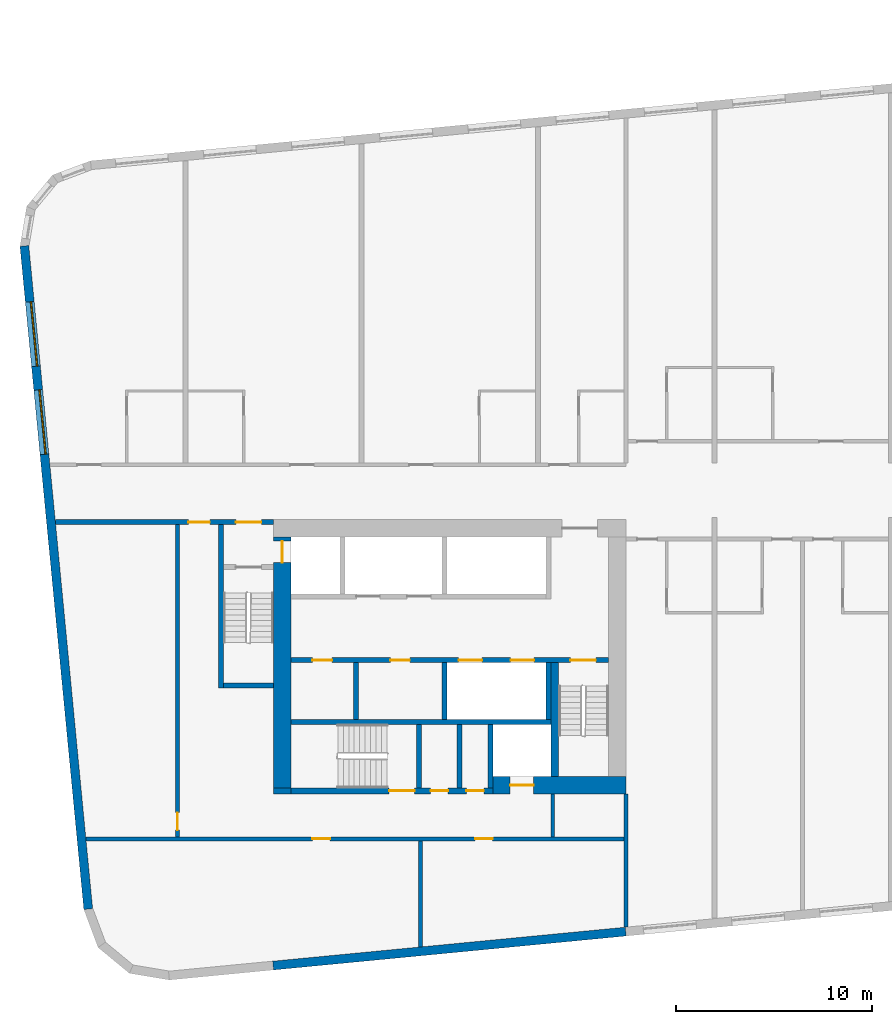
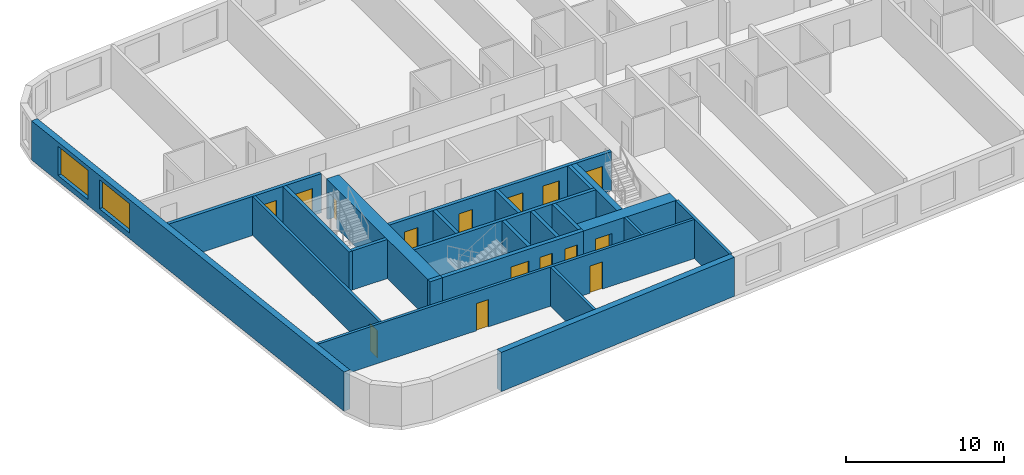
# One storey, part 2 of 12: 23 walls, 15 doors, 2 windows, 17 openings.
"""IFC4 building model written with IfcOpenShell, lengths in metres."""

from ifc_helpers import new_model, si_unit, direction, frame, frame_2d, origin, place, context, subcontext, project, spatial, rectangle, extrude, material, layer, layer_set, type_object, element, fill, save


model = new_model("IFC4")

# Units and contexts
model_context = context("Model", 3, precision=1e-05, world=origin(), true_north=direction((0.0, 1.0)))
body_context = subcontext(model_context, "Body", "Model", "MODEL_VIEW")
ifc_project = project(units=[si_unit("LENGTHUNIT", "METRE"), si_unit("AREAUNIT", "SQUARE_METRE"), si_unit("VOLUMEUNIT", "CUBIC_METRE"), si_unit("PLANEANGLEUNIT", "RADIAN"), si_unit("MASSUNIT", "GRAM", prefix="KILO")], contexts=[model_context])

# Site, building, storey
site_placement = place(None, origin())
site = spatial("IfcSite", under=ifc_project, at=site_placement, CompositionType="ELEMENT")
building_placement = place(site_placement, origin())
building = spatial("IfcBuilding", under=site, at=building_placement, Name="Kajstack Hotel Tower", CompositionType="ELEMENT")
storey_placement = place(building_placement, frame((0.0, 0.0, 190.0)))
storey = spatial("IfcBuildingStorey", under=building, at=storey_placement, Name="L45", CompositionType="ELEMENT", Elevation=190.0)

# Wall, opening, door
ifc_material_1 = material(Name="Concrete C60/75", Category="concrete")
ifc_layer_1 = layer(ifc_material_1, 0.89990234375)
ifc_layer_set_1 = layer_set([ifc_layer_1], Name="Core wall 900")
wall_type_1 = type_object("IfcWallType", Name="Core wall 900", PredefinedType="SHEAR", material=ifc_layer_set_1)
wall_1_placement = place(storey_placement, frame((-20.300048828125, -15.050048828125, 0.0), z_axis=(0.0, 0.0, 1.0), x_axis=(1.0, 0.0, 0.0)))
wall_1 = element("IfcWall", 1, at=wall_1_placement, inside=storey, type_object=wall_type_1, Name="Core wall W RS", PredefinedType="SHEAR", context=body_context, shape_type="SweptSolid", body=[
    extrude(rectangle(XDim=6.800048828125, YDim=0.89990234375, at=frame_2d((3.39990234375, 0.0))), origin(), (0.0, 0.0, 1.0), 3.02001953125),
])
opening_1_placement = place(wall_1_placement, frame((0.875, 0.0, 0.0)))
opening_1 = element("IfcOpeningElement", 2, at=opening_1_placement, cuts=wall_1, Name="Opening LD-SV1", PredefinedType="OPENING", context=body_context, shape_type="SweptSolid", body=[
    extrude(rectangle(XDim=1.199951171875, YDim=2.10009765625, at=frame_2d((0.60009765625, 1.050048828125))), frame((0.0, 0.4599609375, 0.0), z_axis=(0.0, -1.0, 0.0), x_axis=(1.0, 0.0, 0.0)), (0.0, 0.0, 1.0), 0.919921875),
])
ifc_material_2 = material(Name="Stainless steel", Category="steel")
door_type_1 = type_object("IfcDoorType", Name="Lift landing door 1200", OperationType="SLIDING_TO_LEFT", PredefinedType="DOOR", material=ifc_material_2)
door_1_placement = place(opening_1_placement, origin())
door_1 = element("IfcDoor", 3, at=door_1_placement, inside=storey, type_object=door_type_1, Name="Landing door SV1", OperationType="SLIDING_TO_LEFT", OverallHeight=2.10009765625, OverallWidth=1.199951171875, PredefinedType="DOOR", context=body_context, shape_type="SweptSolid", body=[
    extrude(rectangle(XDim=1.199951171875, YDim=2.10009765625, at=frame_2d((0.60009765625, 1.050048828125))), frame((0.0, 0.02490234375, 0.0), z_axis=(0.0, -1.0, 0.0), x_axis=(1.0, 0.0, 0.0)), (0.0, 0.0, 1.0), 0.050048828125),
])
fill(opening_1, door_1)

# Wall
wall_2_placement = place(storey_placement, frame((-31.5, -15.35009765625, 0.0), z_axis=(0.0, 0.0, 1.0), x_axis=(1.0, 0.0, 0.0)))
element("IfcWall", 4, at=wall_2_placement, inside=storey, type_object=wall_type_1, Name="Core wall W RSW", PredefinedType="SHEAR", context=body_context, shape_type="SweptSolid", body=[
    extrude(rectangle(XDim=0.89990234375, YDim=0.300048828125, at=frame_2d((0.449951171875, 0.0))), origin(), (0.0, 0.0, 1.0), 3.02001953125),
])

# Wall, opening, door
wall_3_placement = place(storey_placement, frame((-31.050048828125, -15.199951171875, 0.0), z_axis=(0.0, 0.0, 1.0), x_axis=(0.0, 1.0, 0.0)))
wall_3 = element("IfcWall", 5, at=wall_3_placement, inside=storey, type_object=wall_type_1, Name="Core wall W RW", PredefinedType="SHEAR", context=body_context, shape_type="SweptSolid", body=[
    extrude(rectangle(XDim=12.800048828125, YDim=0.89990234375, at=frame_2d((6.39990234375, 0.0))), origin(), (0.0, 0.0, 1.0), 3.02001953125),
])
opening_2_placement = place(wall_3_placement, frame((11.5, 0.0, 0.0)))
opening_2 = element("IfcOpeningElement", 6, at=opening_2_placement, cuts=wall_3, Name="Opening LD-FF1", PredefinedType="OPENING", context=body_context, shape_type="SweptSolid", body=[
    extrude(rectangle(XDim=1.10009765625, YDim=2.10009765625, at=frame_2d((0.550048828125, 1.050048828125))), frame((0.0, 0.4599609375, 0.0), z_axis=(0.0, -1.0, 0.0), x_axis=(1.0, 0.0, 0.0)), (0.0, 0.0, 1.0), 0.919921875),
])
door_type_2 = type_object("IfcDoorType", Name="Fire-fighting lift landing door 1100", OperationType="SLIDING_TO_LEFT", PredefinedType="DOOR", material=ifc_material_2)
door_2_placement = place(opening_2_placement, origin())
door_2 = element("IfcDoor", 7, at=door_2_placement, inside=storey, type_object=door_type_2, Name="Landing door FF1", OperationType="SLIDING_TO_RIGHT", OverallHeight=2.10009765625, OverallWidth=1.10009765625, PredefinedType="DOOR", context=body_context, shape_type="SweptSolid", body=[
    extrude(rectangle(XDim=1.10009765625, YDim=2.10009765625, at=frame_2d((0.550048828125, 1.050048828125))), frame((0.0, 0.02490234375, 0.0), z_axis=(0.0, -1.0, 0.0), x_axis=(1.0, 0.0, 0.0)), (0.0, 0.0, 1.0), 0.050048828125),
])
fill(opening_2, door_2)

# Walls
ifc_material_3 = material(Name="Twin-frame gypsum board on steel studs, mineral wool", Category="steel")
ifc_layer_2 = layer(ifc_material_3, 0.199951171875)
ifc_layer_set_2 = layer_set([ifc_layer_2], Name="Demising wall 200")
wall_type_2 = type_object("IfcWallType", Name="Demising wall 200", PredefinedType="PARTITIONING", material=ifc_layer_set_2)
wall_4_placement = place(storey_placement, frame((-13.5, -22.300048828125, 0.0), z_axis=(0.0, 0.0, 1.0), x_axis=(0.0, 1.0, 0.0)))
element("IfcWall", 8, at=wall_4_placement, inside=storey, type_object=wall_type_2, Name="G-wall-L45-002", PredefinedType="PARTITIONING", context=body_context, shape_type="SweptSolid", body=[
    extrude(rectangle(XDim=6.800048828125, YDim=0.199951171875, at=frame_2d((3.39990234375, 0.0))), origin(), (0.0, 0.0, 1.0), 3.02001953125),
])
ifc_material_4 = material(Name="Concrete C40/50", Category="concrete")
ifc_layer_3 = layer(ifc_material_4, 0.449951171875)
ifc_layer_set_3 = layer_set([ifc_layer_3], Name="EW-CORE")
wall_type_3 = type_object("IfcWallType", Name="EW-CORE", PredefinedType="SOLIDWALL", material=ifc_layer_set_3)
wall_5_placement = place(storey_placement, frame((-31.521484375, -24.26171875, 0.0), z_axis=(0.0, 0.0, 1.0), x_axis=(0.995396454615, 0.095843091245, 0.0)))
element("IfcWall", 9, at=wall_5_placement, inside=storey, type_object=wall_type_3, Name="E-wall-L45-04-01", PredefinedType="SOLIDWALL", context=body_context, shape_type="SweptSolid", body=[
    extrude(rectangle(XDim=18.083251953125, YDim=0.449951171875, at=frame_2d((9.04150390625, 0.0))), origin(), (0.0, 0.0, 1.0), 3.02001953125),
])

# Wall, openings, windows
ifc_material_5 = material(Name="Terracotta-faced brick masonry", Category="masonry")
ifc_layer_4 = layer(ifc_material_5, 0.449951171875)
ifc_layer_set_4 = layer_set([ifc_layer_4], Name="EW-TERRA")
wall_type_4 = type_object("IfcWallType", Name="EW-TERRA", PredefinedType="SOLIDWALL", material=ifc_layer_set_4)
wall_6_placement = place(storey_placement, frame((-44.21435546875, 12.465576171875, 0.0), z_axis=(0.0, 0.0, 1.0), x_axis=(0.095847314626, -0.995396047952, 0.0)))
wall_6 = element("IfcWall", 10, at=wall_6_placement, inside=storey, type_object=wall_type_4, Name="E-wall-L45-00-00", PredefinedType="SOLIDWALL", context=body_context, shape_type="SweptSolid", body=[
    extrude(rectangle(XDim=33.999755859375, YDim=0.449951171875, at=frame_2d((17.0, 0.0))), origin(), (0.0, 0.0, 1.0), 3.02001953125),
])
opening_3_placement = place(wall_6_placement, frame((2.864990234375, 0.0, 0.449951171875)))
opening_3 = element("IfcOpeningElement", 11, at=opening_3_placement, cuts=wall_6, Name="Opening W2", PredefinedType="OPENING", context=body_context, shape_type="SweptSolid", body=[
    extrude(rectangle(XDim=3.300048828125, YDim=2.25, at=frame_2d((1.64990234375, 1.125))), frame((0.0, 0.23486328125, 0.0), z_axis=(0.0, -1.0, 0.0), x_axis=(1.0, 0.0, 0.0)), (0.0, 0.0, 1.0), 0.469970703125),
])
opening_4_placement = place(wall_6_placement, frame((7.3857421875, 0.0, 0.449951171875)))
opening_4 = element("IfcOpeningElement", 12, at=opening_4_placement, cuts=wall_6, Name="Opening W2", PredefinedType="OPENING", context=body_context, shape_type="SweptSolid", body=[
    extrude(rectangle(XDim=3.300048828125, YDim=2.25, at=frame_2d((1.64990234375, 1.125))), frame((0.0, 0.23486328125, 0.0), z_axis=(0.0, -1.0, 0.0), x_axis=(1.0, 0.0, 0.0)), (0.0, 0.0, 1.0), 0.469970703125),
])
ifc_material_6 = material(Name="Timber-aluminium window, triple glazed", Category="wood")
window_type = type_object("IfcWindowType", Name="WG2", PartitioningType="SINGLE_PANEL", PredefinedType="WINDOW", material=ifc_material_6)
window_1_placement = place(opening_3_placement, origin())
window_1 = element("IfcWindow", 13, at=window_1_placement, inside=storey, type_object=window_type, Name="Window W2 L45-00", OverallHeight=2.25, OverallWidth=3.300048828125, PartitioningType="SINGLE_PANEL", PredefinedType="WINDOW", context=body_context, shape_type="SweptSolid", body=[
    extrude(rectangle(XDim=3.300048828125, YDim=2.25, at=frame_2d((1.64990234375, 1.125))), frame((0.0, 0.090087890625, 0.0), z_axis=(0.0, -1.0, 0.0), x_axis=(1.0, 0.0, 0.0)), (0.0, 0.0, 1.0), 0.06005859375),
])
fill(opening_3, window_1)
window_2_placement = place(opening_4_placement, origin())
window_2 = element("IfcWindow", 14, at=window_2_placement, inside=storey, type_object=window_type, Name="Window W2 L45-00", OverallHeight=2.25, OverallWidth=3.300048828125, PartitioningType="SINGLE_PANEL", PredefinedType="WINDOW", context=body_context, shape_type="SweptSolid", body=[
    extrude(rectangle(XDim=3.300048828125, YDim=2.25, at=frame_2d((1.64990234375, 1.125))), frame((0.0, 0.090087890625, 0.0), z_axis=(0.0, -1.0, 0.0), x_axis=(1.0, 0.0, 0.0)), (0.0, 0.0, 1.0), 0.06005859375),
])
fill(opening_4, window_2)

# Walls
ifc_material_7 = material(Name="Concrete C50/60", Category="concrete")
ifc_layer_5 = layer(ifc_material_7, 0.300048828125)
ifc_layer_set_5 = layer_set([ifc_layer_5], Name="Hoistway divider wall 300")
wall_type_5 = type_object("IfcWallType", Name="Hoistway divider wall 300", PredefinedType="SHEAR", material=ifc_layer_set_5)
wall_7_placement = place(storey_placement, frame((-22.77490234375, -11.699951171875, 0.0), z_axis=(0.0, 0.0, 1.0), x_axis=(0.0, 1.0, 0.0)))
element("IfcWall", 15, at=wall_7_placement, inside=storey, type_object=wall_type_5, Name="Core wall W BP2", PredefinedType="SHEAR", context=body_context, shape_type="SweptSolid", body=[
    extrude(rectangle(XDim=2.89990234375, YDim=0.25, at=frame_2d((1.449951171875, 0.0))), origin(), (0.0, 0.0, 1.0), 3.02001953125),
])
ifc_material_8 = material(Name="Concrete block masonry", Category="masonry")
ifc_layer_6 = layer(ifc_material_8, 0.25)
ifc_layer_set_6 = layer_set([ifc_layer_6], Name="Riser partition 250")
wall_type_6 = type_object("IfcWallType", Name="Riser partition 250", PredefinedType="PARTITIONING", material=ifc_layer_set_6)
wall_8_placement = place(storey_placement, frame((-27.300048828125, -11.699951171875, 0.0), z_axis=(0.0, 0.0, 1.0), x_axis=(0.0, 1.0, 0.0)))
element("IfcWall", 16, at=wall_8_placement, inside=storey, type_object=wall_type_6, Name="Partition W BF0", PredefinedType="PARTITIONING", context=body_context, shape_type="SweptSolid", body=[
    extrude(rectangle(XDim=2.89990234375, YDim=0.25, at=frame_2d((1.449951171875, 0.0))), origin(), (0.0, 0.0, 1.0), 3.02001953125),
])
wall_9_placement = place(storey_placement, frame((-22.0, -15.199951171875, 0.0), z_axis=(0.0, 0.0, 1.0), x_axis=(0.0, 1.0, 0.0)))
element("IfcWall", 17, at=wall_9_placement, inside=storey, type_object=wall_type_6, Name="Partition W SZ0", PredefinedType="PARTITIONING", context=body_context, shape_type="SweptSolid", body=[
    extrude(rectangle(XDim=3.25, YDim=0.25, at=frame_2d((1.625, 0.0))), origin(), (0.0, 0.0, 1.0), 3.02001953125),
])

# Wall, openings, doors
ifc_material_9 = material(Name="Gypsum board on steel studs, mineral wool", Category="steel")
ifc_layer_7 = layer(ifc_material_9, 0.199951171875)
ifc_layer_set_7 = layer_set([ifc_layer_7], Name="Service partition 200")
wall_type_7 = type_object("IfcWallType", Name="Service partition 200", PredefinedType="PARTITIONING", material=ifc_layer_set_7)
wall_10_placement = place(storey_placement, frame((-42.631591796875, -1.625, 0.0), z_axis=(0.0, 0.0, 1.0), x_axis=(1.0, 0.0, 0.0)))
wall_10 = element("IfcWall", 18, at=wall_10_placement, inside=storey, type_object=wall_type_7, Name="Partition W SN", PredefinedType="PARTITIONING", context=body_context, shape_type="SweptSolid", body=[
    extrude(rectangle(XDim=11.131591796875, YDim=0.25, at=frame_2d((5.56591796875, 0.0))), origin(), (0.0, 0.0, 1.0), 3.02001953125),
])
opening_5_placement = place(wall_10_placement, frame((9.20654296875, 0.0, 0.0)))
opening_5 = element("IfcOpeningElement", 19, at=opening_5_placement, cuts=wall_10, Name="Opening 45W08", PredefinedType="OPENING", context=body_context, shape_type="SweptSolid", body=[
    extrude(rectangle(XDim=1.300048828125, YDim=2.10009765625, at=frame_2d((0.64990234375, 1.050048828125))), frame((0.0, 0.135009765625, 0.0), z_axis=(0.0, -1.0, 0.0), x_axis=(1.0, 0.0, 0.0)), (0.0, 0.0, 1.0), 0.27001953125),
])
opening_6_placement = place(wall_10_placement, frame((6.781494140625, 0.0, 0.0)))
opening_6 = element("IfcOpeningElement", 20, at=opening_6_placement, cuts=wall_10, Name="Opening 45W10", PredefinedType="OPENING", context=body_context, shape_type="SweptSolid", body=[
    extrude(rectangle(XDim=1.10009765625, YDim=2.10009765625, at=frame_2d((0.550048828125, 1.050048828125))), frame((0.0, 0.135009765625, 0.0), z_axis=(0.0, -1.0, 0.0), x_axis=(1.0, 0.0, 0.0)), (0.0, 0.0, 1.0), 0.27001953125),
])
ifc_material_10 = material(Name="Steel leaf, fire-rated", Category="steel")
door_type_3 = type_object("IfcDoorType", Name="Fire lobby door 1300", OperationType="SINGLE_SWING_LEFT", PredefinedType="DOOR", material=ifc_material_10)
door_3_placement = place(opening_5_placement, origin())
door_3 = element("IfcDoor", 21, at=door_3_placement, inside=storey, type_object=door_type_3, Name="Door 45W08", OperationType="SINGLE_SWING_RIGHT", OverallHeight=2.10009765625, OverallWidth=1.300048828125, PredefinedType="DOOR", context=body_context, shape_type="SweptSolid", body=[
    extrude(rectangle(XDim=1.300048828125, YDim=2.10009765625, at=frame_2d((0.64990234375, 1.050048828125))), frame((0.0, 0.02490234375, 0.0), z_axis=(0.0, -1.0, 0.0), x_axis=(1.0, 0.0, 0.0)), (0.0, 0.0, 1.0), 0.050048828125),
])
fill(opening_5, door_3)
ifc_material_11 = material(Name="Timber leaf, fire-rated", Category="wood")
door_type_4 = type_object("IfcDoorType", Name="Service corridor door 1100", OperationType="SINGLE_SWING_LEFT", PredefinedType="DOOR", material=ifc_material_11)
door_4_placement = place(opening_6_placement, origin())
door_4 = element("IfcDoor", 22, at=door_4_placement, inside=storey, type_object=door_type_4, Name="Door 45W10", OperationType="SINGLE_SWING_RIGHT", OverallHeight=2.10009765625, OverallWidth=1.10009765625, PredefinedType="DOOR", context=body_context, shape_type="SweptSolid", body=[
    extrude(rectangle(XDim=1.10009765625, YDim=2.10009765625, at=frame_2d((0.550048828125, 1.050048828125))), frame((0.0, 0.02490234375, 0.0), z_axis=(0.0, -1.0, 0.0), x_axis=(1.0, 0.0, 0.0)), (0.0, 0.0, 1.0), 0.050048828125),
])
fill(opening_6, door_4)

# Wall
wall_11_placement = place(storey_placement, frame((-17.25, -17.699951171875, 0.0), z_axis=(0.0, 0.0, 1.0), x_axis=(0.0, 1.0, 0.0)))
element("IfcWall", 23, at=wall_11_placement, inside=storey, type_object=wall_type_7, Name="Partition W SCE", PredefinedType="PARTITIONING", context=body_context, shape_type="SweptSolid", body=[
    extrude(rectangle(XDim=2.199951171875, YDim=0.199951171875, at=frame_2d((1.10009765625, 0.0))), origin(), (0.0, 0.0, 1.0), 3.02001953125),
])

# Wall, opening, door
wall_12_placement = place(storey_placement, frame((-36.39990234375, -17.699951171875, 0.0), z_axis=(0.0, 0.0, 1.0), x_axis=(0.0, 1.0, 0.0)))
wall_12 = element("IfcWall", 24, at=wall_12_placement, inside=storey, type_object=wall_type_7, Name="Partition W WRE", PredefinedType="PARTITIONING", context=body_context, shape_type="SweptSolid", body=[
    extrude(rectangle(XDim=15.949951171875, YDim=0.199951171875, at=frame_2d((7.97509765625, 0.0))), origin(), (0.0, 0.0, 1.0), 3.02001953125),
])
opening_7_placement = place(wall_12_placement, frame((0.35009765625, 0.0, 0.0)))
opening_7 = element("IfcOpeningElement", 25, at=opening_7_placement, cuts=wall_12, Name="Opening 45W19", PredefinedType="OPENING", context=body_context, shape_type="SweptSolid", body=[
    extrude(rectangle(XDim=0.89990234375, YDim=2.10009765625, at=frame_2d((0.449951171875, 1.050048828125))), frame((0.0, 0.10986328125, 0.0), z_axis=(0.0, -1.0, 0.0), x_axis=(1.0, 0.0, 0.0)), (0.0, 0.0, 1.0), 0.219970703125),
])
door_type_5 = type_object("IfcDoorType", Name="Service door 900", OperationType="SINGLE_SWING_LEFT", PredefinedType="DOOR", material=ifc_material_11)
door_5_placement = place(opening_7_placement, origin())
door_5 = element("IfcDoor", 26, at=door_5_placement, inside=storey, type_object=door_type_5, Name="Door 45W19", OperationType="SINGLE_SWING_LEFT", OverallHeight=2.10009765625, OverallWidth=0.89990234375, PredefinedType="DOOR", context=body_context, shape_type="SweptSolid", body=[
    extrude(rectangle(XDim=0.89990234375, YDim=2.10009765625, at=frame_2d((0.449951171875, 1.050048828125))), frame((0.0, 0.02490234375, 0.0), z_axis=(0.0, -1.0, 0.0), x_axis=(1.0, 0.0, 0.0)), (0.0, 0.0, 1.0), 0.050048828125),
])
fill(opening_7, door_5)

# Wall, openings, doors
wall_13_placement = place(storey_placement, frame((-41.07421875, -17.800048828125, 0.0), z_axis=(0.0, 0.0, 1.0), x_axis=(1.0, 0.0, 0.0)))
wall_13 = element("IfcWall", 27, at=wall_13_placement, inside=storey, type_object=wall_type_7, Name="Partition W SLN", PredefinedType="PARTITIONING", context=body_context, shape_type="SweptSolid", body=[
    extrude(rectangle(XDim=27.47412109375, YDim=0.199951171875, at=frame_2d((13.737060546875, 0.0))), origin(), (0.0, 0.0, 1.0), 3.02001953125),
])
opening_8_placement = place(wall_13_placement, frame((11.5615234375, 0.0, 0.0)))
opening_8 = element("IfcOpeningElement", 28, at=opening_8_placement, cuts=wall_13, Name="Opening 45W17", PredefinedType="OPENING", context=body_context, shape_type="SweptSolid", body=[
    extrude(rectangle(XDim=0.89990234375, YDim=2.10009765625, at=frame_2d((0.449951171875, 1.050048828125))), frame((0.0, 0.10986328125, 0.0), z_axis=(0.0, -1.0, 0.0), x_axis=(1.0, 0.0, 0.0)), (0.0, 0.0, 1.0), 0.219970703125),
])
opening_9_placement = place(wall_13_placement, frame((19.861572265625, 0.0, 0.0)))
opening_9 = element("IfcOpeningElement", 29, at=opening_9_placement, cuts=wall_13, Name="Opening 45W18", PredefinedType="OPENING", context=body_context, shape_type="SweptSolid", body=[
    extrude(rectangle(XDim=0.89990234375, YDim=2.10009765625, at=frame_2d((0.449951171875, 1.050048828125))), frame((0.0, 0.10986328125, 0.0), z_axis=(0.0, -1.0, 0.0), x_axis=(1.0, 0.0, 0.0)), (0.0, 0.0, 1.0), 0.219970703125),
])
door_6_placement = place(opening_8_placement, origin())
door_6 = element("IfcDoor", 30, at=door_6_placement, inside=storey, type_object=door_type_5, Name="Door 45W17", OperationType="SINGLE_SWING_RIGHT", OverallHeight=2.10009765625, OverallWidth=0.89990234375, PredefinedType="DOOR", context=body_context, shape_type="SweptSolid", body=[
    extrude(rectangle(XDim=0.89990234375, YDim=2.10009765625, at=frame_2d((0.449951171875, 1.050048828125))), frame((0.0, 0.02490234375, 0.0), z_axis=(0.0, -1.0, 0.0), x_axis=(1.0, 0.0, 0.0)), (0.0, 0.0, 1.0), 0.050048828125),
])
fill(opening_8, door_6)
door_7_placement = place(opening_9_placement, origin())
door_7 = element("IfcDoor", 31, at=door_7_placement, inside=storey, type_object=door_type_5, Name="Door 45W18", OperationType="SINGLE_SWING_RIGHT", OverallHeight=2.10009765625, OverallWidth=0.89990234375, PredefinedType="DOOR", context=body_context, shape_type="SweptSolid", body=[
    extrude(rectangle(XDim=0.89990234375, YDim=2.10009765625, at=frame_2d((0.449951171875, 1.050048828125))), frame((0.0, 0.02490234375, 0.0), z_axis=(0.0, -1.0, 0.0), x_axis=(1.0, 0.0, 0.0)), (0.0, 0.0, 1.0), 0.050048828125),
])
fill(opening_9, door_7)

# Wall
wall_14_placement = place(storey_placement, frame((-24.0, -23.3125, 0.0), z_axis=(0.0, 0.0, 1.0), x_axis=(0.0, 1.0, 0.0)))
element("IfcWall", 32, at=wall_14_placement, inside=storey, type_object=wall_type_7, Name="Partition W SLP0", PredefinedType="PARTITIONING", context=body_context, shape_type="SweptSolid", body=[
    extrude(rectangle(XDim=5.41259765625, YDim=0.199951171875, at=frame_2d((2.706298828125, 0.0))), origin(), (0.0, 0.0, 1.0), 3.02001953125),
])

# Wall, openings, doors
ifc_layer_8 = layer(ifc_material_7, 0.25)
ifc_layer_set_8 = layer_set([ifc_layer_8], Name="Shaft wall 250")
wall_type_8 = type_object("IfcWallType", Name="Shaft wall 250", PredefinedType="SHEAR", material=ifc_layer_set_8)
wall_15_placement = place(storey_placement, frame((-30.60009765625, -15.35009765625, 0.0), z_axis=(0.0, 0.0, 1.0), x_axis=(1.0, 0.0, 0.0)))
wall_15 = element("IfcWall", 33, at=wall_15_placement, inside=storey, type_object=wall_type_8, Name="Core wall W RSS", PredefinedType="SHEAR", context=body_context, shape_type="SweptSolid", body=[
    extrude(rectangle(XDim=10.300048828125, YDim=0.300048828125, at=frame_2d((5.14990234375, 0.0))), origin(), (0.0, 0.0, 1.0), 3.02001953125),
])
opening_10_placement = place(wall_15_placement, frame((5.0, 0.0, 0.0)))
opening_10 = element("IfcOpeningElement", 34, at=opening_10_placement, cuts=wall_15, Name="Opening 45W12", PredefinedType="OPENING", context=body_context, shape_type="SweptSolid", body=[
    extrude(rectangle(XDim=1.300048828125, YDim=2.10009765625, at=frame_2d((0.64990234375, 1.050048828125))), frame((0.0, 0.159912109375, 0.0), z_axis=(0.0, -1.0, 0.0), x_axis=(1.0, 0.0, 0.0)), (0.0, 0.0, 1.0), 0.320068359375),
])
opening_11_placement = place(wall_15_placement, frame((7.112548828125, 0.0, 0.0)))
opening_11 = element("IfcOpeningElement", 35, at=opening_11_placement, cuts=wall_15, Name="Opening 45W13", PredefinedType="OPENING", context=body_context, shape_type="SweptSolid", body=[
    extrude(rectangle(XDim=0.89990234375, YDim=2.10009765625, at=frame_2d((0.449951171875, 1.050048828125))), frame((0.0, 0.159912109375, 0.0), z_axis=(0.0, -1.0, 0.0), x_axis=(1.0, 0.0, 0.0)), (0.0, 0.0, 1.0), 0.320068359375),
])
opening_12_placement = place(wall_15_placement, frame((8.9375, 0.0, 0.0)))
opening_12 = element("IfcOpeningElement", 36, at=opening_12_placement, cuts=wall_15, Name="Opening 45W14", PredefinedType="OPENING", context=body_context, shape_type="SweptSolid", body=[
    extrude(rectangle(XDim=0.89990234375, YDim=2.10009765625, at=frame_2d((0.449951171875, 1.050048828125))), frame((0.0, 0.159912109375, 0.0), z_axis=(0.0, -1.0, 0.0), x_axis=(1.0, 0.0, 0.0)), (0.0, 0.0, 1.0), 0.320068359375),
])
door_8_placement = place(opening_11_placement, origin())
door_8 = element("IfcDoor", 37, at=door_8_placement, inside=storey, type_object=door_type_5, Name="Door 45W13", OperationType="SINGLE_SWING_LEFT", OverallHeight=2.10009765625, OverallWidth=0.89990234375, PredefinedType="DOOR", context=body_context, shape_type="SweptSolid", body=[
    extrude(rectangle(XDim=0.89990234375, YDim=2.10009765625, at=frame_2d((0.449951171875, 1.050048828125))), frame((0.0, 0.02490234375, 0.0), z_axis=(0.0, -1.0, 0.0), x_axis=(1.0, 0.0, 0.0)), (0.0, 0.0, 1.0), 0.050048828125),
])
fill(opening_11, door_8)
door_9_placement = place(opening_12_placement, origin())
door_9 = element("IfcDoor", 38, at=door_9_placement, inside=storey, type_object=door_type_5, Name="Door 45W14", OperationType="SINGLE_SWING_LEFT", OverallHeight=2.10009765625, OverallWidth=0.89990234375, PredefinedType="DOOR", context=body_context, shape_type="SweptSolid", body=[
    extrude(rectangle(XDim=0.89990234375, YDim=2.10009765625, at=frame_2d((0.449951171875, 1.050048828125))), frame((0.0, 0.02490234375, 0.0), z_axis=(0.0, -1.0, 0.0), x_axis=(1.0, 0.0, 0.0)), (0.0, 0.0, 1.0), 0.050048828125),
])
fill(opening_12, door_9)
door_type_6 = type_object("IfcDoorType", Name="Stair door 1300", OperationType="SINGLE_SWING_LEFT", PredefinedType="DOOR", material=ifc_material_10)
door_10_placement = place(opening_10_placement, origin())
door_10 = element("IfcDoor", 39, at=door_10_placement, inside=storey, type_object=door_type_6, Name="Door 45W12", OperationType="SINGLE_SWING_RIGHT", OverallHeight=2.10009765625, OverallWidth=1.300048828125, PredefinedType="DOOR", context=body_context, shape_type="SweptSolid", body=[
    extrude(rectangle(XDim=1.300048828125, YDim=2.10009765625, at=frame_2d((0.64990234375, 1.050048828125))), frame((0.0, 0.02490234375, 0.0), z_axis=(0.0, -1.0, 0.0), x_axis=(1.0, 0.0, 0.0)), (0.0, 0.0, 1.0), 0.050048828125),
])
fill(opening_10, door_10)

wall_16_placement = place(storey_placement, frame((-30.60009765625, -8.675048828125, 0.0), z_axis=(0.0, 0.0, 1.0), x_axis=(1.0, 0.0, 0.0)))
wall_16 = element("IfcWall", 40, at=wall_16_placement, inside=storey, type_object=wall_type_8, Name="Core wall W FB", PredefinedType="SHEAR", context=body_context, shape_type="SweptSolid", body=[
    extrude(rectangle(XDim=16.2001953125, YDim=0.25, at=frame_2d((8.10009765625, 0.0))), origin(), (0.0, 0.0, 1.0), 3.02001953125),
])
opening_13_placement = place(wall_16_placement, frame((8.550048828125, 0.0, 0.0)))
opening_13 = element("IfcOpeningElement", 41, at=opening_13_placement, cuts=wall_16, Name="Opening LD-MR1", PredefinedType="OPENING", context=body_context, shape_type="SweptSolid", body=[
    extrude(rectangle(XDim=1.199951171875, YDim=2.10009765625, at=frame_2d((0.60009765625, 1.050048828125))), frame((0.0, 0.135009765625, 0.0), z_axis=(0.0, -1.0, 0.0), x_axis=(1.0, 0.0, 0.0)), (0.0, 0.0, 1.0), 0.27001953125),
])
opening_14_placement = place(wall_16_placement, frame((11.199951171875, 0.0, 0.0)))
opening_14 = element("IfcOpeningElement", 42, at=opening_14_placement, cuts=wall_16, Name="Opening LD-MR2", PredefinedType="OPENING", context=body_context, shape_type="SweptSolid", body=[
    extrude(rectangle(XDim=1.199951171875, YDim=2.10009765625, at=frame_2d((0.60009765625, 1.050048828125))), frame((0.0, 0.135009765625, 0.0), z_axis=(0.0, -1.0, 0.0), x_axis=(1.0, 0.0, 0.0)), (0.0, 0.0, 1.0), 0.27001953125),
])
opening_15_placement = place(wall_16_placement, frame((14.25, 0.0, 0.0)))
opening_15 = element("IfcOpeningElement", 43, at=opening_15_placement, cuts=wall_16, Name="Opening 45W11", PredefinedType="OPENING", context=body_context, shape_type="SweptSolid", body=[
    extrude(rectangle(XDim=1.300048828125, YDim=2.10009765625, at=frame_2d((0.64990234375, 1.050048828125))), frame((0.0, 0.135009765625, 0.0), z_axis=(0.0, -1.0, 0.0), x_axis=(1.0, 0.0, 0.0)), (0.0, 0.0, 1.0), 0.27001953125),
])
opening_16_placement = place(wall_16_placement, frame((1.08740234375, 0.0, 0.0)))
opening_16 = element("IfcOpeningElement", 44, at=opening_16_placement, cuts=wall_16, Name="Opening 45W15", PredefinedType="OPENING", context=body_context, shape_type="SweptSolid", body=[
    extrude(rectangle(XDim=1.0, YDim=2.10009765625, at=frame_2d((0.5, 1.050048828125))), frame((0.0, 0.135009765625, 0.0), z_axis=(0.0, -1.0, 0.0), x_axis=(1.0, 0.0, 0.0)), (0.0, 0.0, 1.0), 0.27001953125),
])
opening_17_placement = place(wall_16_placement, frame((5.0625, 0.0, 0.0)))
opening_17 = element("IfcOpeningElement", 45, at=opening_17_placement, cuts=wall_16, Name="Opening 45W16", PredefinedType="OPENING", context=body_context, shape_type="SweptSolid", body=[
    extrude(rectangle(XDim=1.0, YDim=2.10009765625, at=frame_2d((0.5, 1.050048828125))), frame((0.0, 0.135009765625, 0.0), z_axis=(0.0, -1.0, 0.0), x_axis=(1.0, 0.0, 0.0)), (0.0, 0.0, 1.0), 0.27001953125),
])
door_11_placement = place(opening_13_placement, origin())
door_11 = element("IfcDoor", 46, at=door_11_placement, inside=storey, type_object=door_type_1, Name="Landing door MR1", OperationType="SLIDING_TO_LEFT", OverallHeight=2.10009765625, OverallWidth=1.199951171875, PredefinedType="DOOR", context=body_context, shape_type="SweptSolid", body=[
    extrude(rectangle(XDim=1.199951171875, YDim=2.10009765625, at=frame_2d((0.60009765625, 1.050048828125))), frame((0.0, 0.02490234375, 0.0), z_axis=(0.0, -1.0, 0.0), x_axis=(1.0, 0.0, 0.0)), (0.0, 0.0, 1.0), 0.050048828125),
])
fill(opening_13, door_11)
door_12_placement = place(opening_14_placement, origin())
door_12 = element("IfcDoor", 47, at=door_12_placement, inside=storey, type_object=door_type_1, Name="Landing door MR2", OperationType="SLIDING_TO_RIGHT", OverallHeight=2.10009765625, OverallWidth=1.199951171875, PredefinedType="DOOR", context=body_context, shape_type="SweptSolid", body=[
    extrude(rectangle(XDim=1.199951171875, YDim=2.10009765625, at=frame_2d((0.60009765625, 1.050048828125))), frame((0.0, 0.02490234375, 0.0), z_axis=(0.0, -1.0, 0.0), x_axis=(1.0, 0.0, 0.0)), (0.0, 0.0, 1.0), 0.050048828125),
])
fill(opening_14, door_12)
door_type_7 = type_object("IfcDoorType", Name="Service room door 1000", OperationType="SINGLE_SWING_LEFT", PredefinedType="DOOR", material=ifc_material_11)
door_13_placement = place(opening_16_placement, origin())
door_13 = element("IfcDoor", 48, at=door_13_placement, inside=storey, type_object=door_type_7, Name="Door 45W15", OperationType="SINGLE_SWING_RIGHT", OverallHeight=2.10009765625, OverallWidth=1.0, PredefinedType="DOOR", context=body_context, shape_type="SweptSolid", body=[
    extrude(rectangle(XDim=1.0, YDim=2.10009765625, at=frame_2d((0.5, 1.050048828125))), frame((0.0, 0.02490234375, 0.0), z_axis=(0.0, -1.0, 0.0), x_axis=(1.0, 0.0, 0.0)), (0.0, 0.0, 1.0), 0.050048828125),
])
fill(opening_16, door_13)
door_14_placement = place(opening_17_placement, origin())
door_14 = element("IfcDoor", 49, at=door_14_placement, inside=storey, type_object=door_type_7, Name="Door 45W16", OperationType="SINGLE_SWING_RIGHT", OverallHeight=2.10009765625, OverallWidth=1.0, PredefinedType="DOOR", context=body_context, shape_type="SweptSolid", body=[
    extrude(rectangle(XDim=1.0, YDim=2.10009765625, at=frame_2d((0.5, 1.050048828125))), frame((0.0, 0.02490234375, 0.0), z_axis=(0.0, -1.0, 0.0), x_axis=(1.0, 0.0, 0.0)), (0.0, 0.0, 1.0), 0.050048828125),
])
fill(opening_17, door_14)
door_15_placement = place(opening_15_placement, origin())
door_15 = element("IfcDoor", 50, at=door_15_placement, inside=storey, type_object=door_type_6, Name="Door 45W11", OperationType="SINGLE_SWING_RIGHT", OverallHeight=2.10009765625, OverallWidth=1.300048828125, PredefinedType="DOOR", context=body_context, shape_type="SweptSolid", body=[
    extrude(rectangle(XDim=1.300048828125, YDim=2.10009765625, at=frame_2d((0.64990234375, 1.050048828125))), frame((0.0, 0.02490234375, 0.0), z_axis=(0.0, -1.0, 0.0), x_axis=(1.0, 0.0, 0.0)), (0.0, 0.0, 1.0), 0.050048828125),
])
fill(opening_15, door_15)

# Walls
wall_17_placement = place(storey_placement, frame((-30.60009765625, -11.824951171875, 0.0), z_axis=(0.0, 0.0, 1.0), x_axis=(1.0, 0.0, 0.0)))
element("IfcWall", 51, at=wall_17_placement, inside=storey, type_object=wall_type_8, Name="Core wall W RB", PredefinedType="SHEAR", context=body_context, shape_type="SweptSolid", body=[
    extrude(rectangle(XDim=13.25, YDim=0.25, at=frame_2d((6.625, 0.0))), origin(), (0.0, 0.0, 1.0), 3.02001953125),
])
wall_18_placement = place(storey_placement, frame((-17.47509765625, -11.699951171875, 0.0), z_axis=(0.0, 0.0, 1.0), x_axis=(0.0, 1.0, 0.0)))
element("IfcWall", 52, at=wall_18_placement, inside=storey, type_object=wall_type_8, Name="Core wall W BE", PredefinedType="SHEAR", context=body_context, shape_type="SweptSolid", body=[
    extrude(rectangle(XDim=2.89990234375, YDim=0.25, at=frame_2d((1.449951171875, 0.0))), origin(), (0.0, 0.0, 1.0), 3.02001953125),
])
wall_19_placement = place(storey_placement, frame((-20.425048828125, -15.199951171875, 0.0), z_axis=(0.0, 0.0, 1.0), x_axis=(0.0, 1.0, 0.0)))
element("IfcWall", 53, at=wall_19_placement, inside=storey, type_object=wall_type_8, Name="Core wall W SVW", PredefinedType="SHEAR", context=body_context, shape_type="SweptSolid", body=[
    extrude(rectangle(XDim=3.25, YDim=0.25, at=frame_2d((1.625, 0.0))), origin(), (0.0, 0.0, 1.0), 3.02001953125),
])
ifc_layer_9 = layer(ifc_material_4, 0.25)
ifc_layer_set_9 = layer_set([ifc_layer_9], Name="Stair enclosure wall 250")
wall_type_9 = type_object("IfcWallType", Name="Stair enclosure wall 250", PredefinedType="SHEAR", material=ifc_layer_set_9)
wall_20_placement = place(storey_placement, frame((-34.175048828125, -10.10009765625, 0.0), z_axis=(0.0, 0.0, 1.0), x_axis=(0.0, 1.0, 0.0)))
element("IfcWall", 54, at=wall_20_placement, inside=storey, type_object=wall_type_9, Name="Core wall W W1W", PredefinedType="SHEAR", context=body_context, shape_type="SweptSolid", body=[
    extrude(rectangle(XDim=8.35009765625, YDim=0.25, at=frame_2d((4.175048828125, 0.0))), origin(), (0.0, 0.0, 1.0), 3.02001953125),
])
wall_21_placement = place(storey_placement, frame((-34.050048828125, -9.97509765625, 0.0), z_axis=(0.0, 0.0, 1.0), x_axis=(1.0, 0.0, 0.0)))
element("IfcWall", 55, at=wall_21_placement, inside=storey, type_object=wall_type_9, Name="Core wall W W1S", PredefinedType="SHEAR", context=body_context, shape_type="SweptSolid", body=[
    extrude(rectangle(XDim=2.550048828125, YDim=0.25, at=frame_2d((1.27490234375, 0.0))), origin(), (0.0, 0.0, 1.0), 3.02001953125),
])
ifc_layer_10 = layer(ifc_material_7, 0.35009765625)
ifc_layer_set_10 = layer_set([ifc_layer_10], Name="Stair enclosure wall 350")
wall_type_10 = type_object("IfcWallType", Name="Stair enclosure wall 350", PredefinedType="SHEAR", material=ifc_layer_set_10)
wall_22_placement = place(storey_placement, frame((-24.074951171875, -15.199951171875, 0.0), z_axis=(0.0, 0.0, 1.0), x_axis=(0.0, 1.0, 0.0)))
element("IfcWall", 56, at=wall_22_placement, inside=storey, type_object=wall_type_10, Name="Core wall W W3E", PredefinedType="SHEAR", context=body_context, shape_type="SweptSolid", body=[
    extrude(rectangle(XDim=3.25, YDim=0.25, at=frame_2d((1.625, 0.0))), origin(), (0.0, 0.0, 1.0), 3.02001953125),
])
ifc_layer_11 = layer(ifc_material_7, 0.39990234375)
ifc_layer_set_11 = layer_set([ifc_layer_11], Name="Stair wall 400")
wall_type_11 = type_object("IfcWallType", Name="Stair wall 400", PredefinedType="SHEAR", material=ifc_layer_set_11)
wall_23_placement = place(storey_placement, frame((-17.14990234375, -14.60009765625, 0.0), z_axis=(0.0, 0.0, 1.0), x_axis=(0.0, 1.0, 0.0)))
element("IfcWall", 57, at=wall_23_placement, inside=storey, type_object=wall_type_11, Name="Core wall W WW2", PredefinedType="SHEAR", context=body_context, shape_type="SweptSolid", body=[
    extrude(rectangle(XDim=5.800048828125, YDim=0.39990234375, at=frame_2d((2.89990234375, 0.0))), origin(), (0.0, 0.0, 1.0), 3.02001953125),
])

save(model, "model.ifc")
